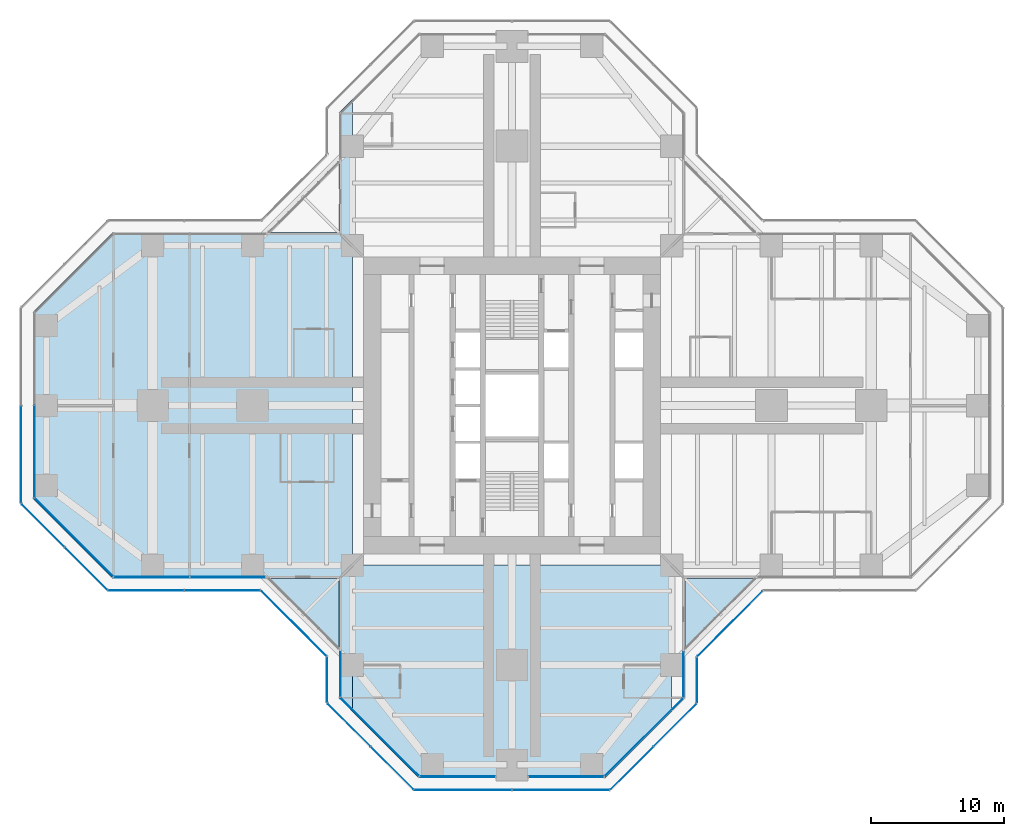
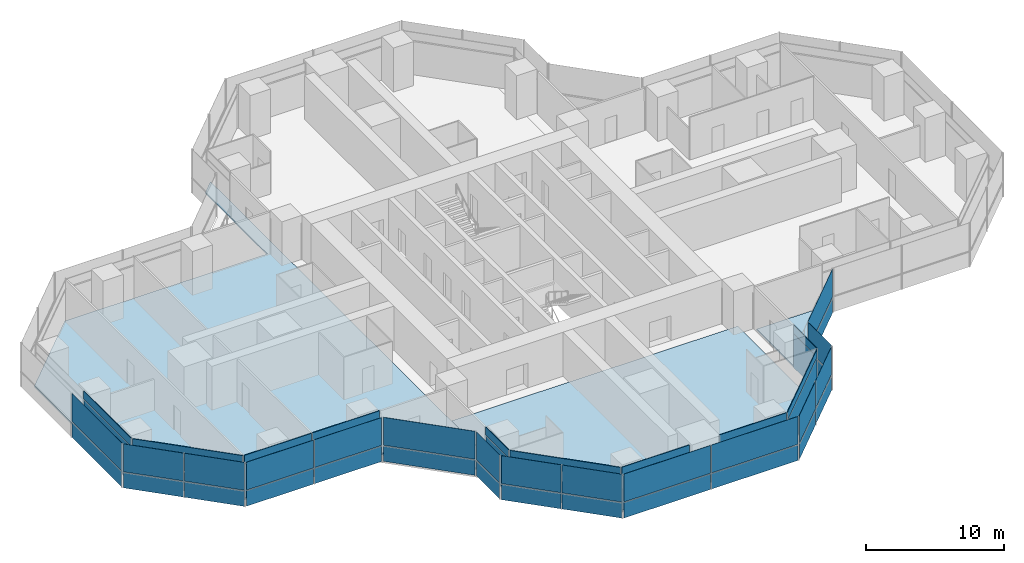
# One storey, part 12 of 20: 50 plates, 4 slabs, 19 elements without a shape of their own.
"""IFC4 building model written with IfcOpenShell, lengths in metres."""

from ifc_helpers import new_model, si_unit, direction, frame, origin, origin_2d, place, context, subcontext, project, spatial, polyline, rectangle, outline, extrude, material, layer, layer_set, type_object, element, aggregate, save


model = new_model("IFC4")

# Units and contexts
model_context = context("Model", 3, precision=1e-05, world=origin(), true_north=direction((0.0, 1.0)))
body_context = subcontext(model_context, "Body", "Model", "MODEL_VIEW")
ifc_project = project(units=[si_unit("LENGTHUNIT", "METRE"), si_unit("AREAUNIT", "SQUARE_METRE"), si_unit("VOLUMEUNIT", "CUBIC_METRE"), si_unit("PLANEANGLEUNIT", "RADIAN"), si_unit("MASSUNIT", "GRAM", prefix="KILO")], contexts=[model_context])

# Site, building, storey
site_placement = place(None, origin())
site = spatial("IfcSite", under=ifc_project, at=site_placement, CompositionType="ELEMENT")
building_placement = place(site_placement, origin())
building = spatial("IfcBuilding", under=site, at=building_placement, Name="Mizan Broadcast Tower", CompositionType="ELEMENT")
storey_placement = place(building_placement, frame((0.0, 0.0, 151.5)))
storey = spatial("IfcBuildingStorey", under=building, at=storey_placement, Name="L34", CompositionType="ELEMENT", Elevation=151.5)

# Slabs
ifc_material_1 = material(Name="Concrete C32/40", Category="concrete")
ifc_layer_1 = layer(ifc_material_1, 0.1298828125)
ifc_layer_set_1 = layer_set([ifc_layer_1], Name="Concrete C32/40")
slab_type_1 = type_object("IfcSlabType", Name="COMPOSITE DECK SLAB 130", PredefinedType="FLOOR", material=ifc_layer_set_1)
slab_1_placement = place(storey_placement, frame((0.0, 0.0, -0.1298828125)))
element("IfcSlab", 1, at=slab_1_placement, inside=storey, type_object=slab_type_1, Name="Floor slab L34 west arm", PredefinedType="FLOOR", context=body_context, shape_type="SweptSolid", body=[
    extrude(outline(polyline([(-13.0, -22.0), (-12.0, -23.0), (-12.0, 23.0), (-13.0, 22.0), (-13.0, 13.0), (-30.0, 13.0), (-36.0, 7.0), (-36.0, -7.0), (-30.0, -13.0), (-13.0, -13.0), (-13.0, -22.0)])), origin(), (0.0, 0.0, 1.0), 0.1298828125),
])
slab_2_placement = place(storey_placement, frame((0.0, 0.0, -0.1298828125)))
element("IfcSlab", 2, at=slab_2_placement, inside=storey, type_object=slab_type_1, Name="Floor slab L34 south arm", PredefinedType="FLOOR", context=body_context, shape_type="SweptSolid", body=[
    extrude(outline(polyline([(7.0, -28.0), (12.0, -23.0), (12.0, -12.0), (-12.0, -12.0), (-12.0, -23.0), (-7.0, -28.0), (7.0, -28.0)])), origin(), (0.0, 0.0, 1.0), 0.1298828125),
])

# Curtain wall, plate
ifc_material_2 = material(Name="Aluminium framed glazing", Category="aluminium")
curtain_wall_type_1 = type_object("IfcCurtainWallType", Name="INNER SKIN MID ZONE", PredefinedType="USERDEFINED", material=ifc_material_2)
curtain_wall_1_placement = place(storey_placement, origin())
curtain_wall_1 = element("IfcCurtainWall", 3, at=curtain_wall_1_placement, inside=storey, type_object=curtain_wall_type_1, Name="Inner skin mid zone L34 W end", ObjectType="INNER SKIN MID ZONE", PredefinedType="USERDEFINED")
ifc_material_3 = material(Name="Double glazing, clear low-e", Category="glass")
ifc_layer_2 = layer(ifc_material_3, 0.028076171875)
ifc_layer_set_2 = layer_set([ifc_layer_2], Name="Double glazing, clear low-e")
plate_type_1 = type_object("IfcPlateType", Name="INNER SKIN GLAZING UNIT", PredefinedType="CURTAIN_PANEL", material=ifc_layer_set_2)
plate_1_placement = place(storey_placement, frame((-35.89990234375, -3.46435546875, 0.0), z_axis=(0.0, 0.0, 1.0), x_axis=(0.0, -1.0, 0.0)))
plate_1 = element("IfcPlate", 4, at=plate_1_placement, type_object=plate_type_1, Name="Inner skin mid zone L34 W end panel 2.1", PredefinedType="CURTAIN_PANEL", context=body_context, shape_type="SweptSolid", body=[
    extrude(rectangle(XDim=6.86865234375, YDim=0.028076171875, at=origin_2d()), origin(), (0.0, 0.0, 1.0), 3.0),
])

curtain_wall_2_placement = place(storey_placement, origin())
curtain_wall_2 = element("IfcCurtainWall", 5, at=curtain_wall_2_placement, inside=storey, type_object=curtain_wall_type_1, Name="Inner skin mid zone L34 W chamfer", ObjectType="INNER SKIN MID ZONE", PredefinedType="USERDEFINED")
plate_2_placement = place(storey_placement, frame((-32.92919921875, -9.92919921875, 0.0), z_axis=(0.0, 0.0, 1.0), x_axis=(0.707106781187, -0.707106781187, 0.0)))
plate_2 = element("IfcPlate", 6, at=plate_2_placement, type_object=plate_type_1, Name="Inner skin mid zone L34 W chamfer panel 1.1", PredefinedType="CURTAIN_PANEL", context=body_context, shape_type="SweptSolid", body=[
    extrude(rectangle(XDim=8.282470703125, YDim=0.028076171875, at=origin_2d()), origin(), (0.0, 0.0, 1.0), 3.0),
])

# Curtain wall, plates
curtain_wall_3_placement = place(storey_placement, origin())
curtain_wall_3 = element("IfcCurtainWall", 7, at=curtain_wall_3_placement, inside=storey, type_object=curtain_wall_type_1, Name="Inner skin mid zone L34 W side", ObjectType="INNER SKIN MID ZONE", PredefinedType="USERDEFINED")
plate_3_placement = place(storey_placement, frame((-27.078857421875, -12.89990234375, 0.0), z_axis=(0.0, 0.0, 1.0), x_axis=(1.0, 0.0, 0.0)))
plate_3 = element("IfcPlate", 8, at=plate_3_placement, type_object=plate_type_1, Name="Inner skin mid zone L34 W side panel 1.1", PredefinedType="CURTAIN_PANEL", context=body_context, shape_type="SweptSolid", body=[
    extrude(rectangle(XDim=5.639404296875, YDim=0.028076171875, at=origin_2d()), origin(), (0.0, 0.0, 1.0), 3.0),
])
plate_4_placement = place(storey_placement, frame((-21.379638671875, -12.89990234375, 0.0), z_axis=(0.0, 0.0, 1.0), x_axis=(1.0, 0.0, 0.0)))
plate_4 = element("IfcPlate", 9, at=plate_4_placement, type_object=plate_type_1, Name="Inner skin mid zone L34 W side panel 2.1", PredefinedType="CURTAIN_PANEL", context=body_context, shape_type="SweptSolid", body=[
    extrude(rectangle(XDim=5.639404296875, YDim=0.028076171875, at=origin_2d()), origin(), (0.0, 0.0, 1.0), 3.0),
])

# Curtain wall, plate
curtain_wall_4_placement = place(storey_placement, origin())
curtain_wall_4 = element("IfcCurtainWall", 10, at=curtain_wall_4_placement, inside=storey, type_object=curtain_wall_type_1, Name="Inner skin mid zone L34 S side", ObjectType="INNER SKIN MID ZONE", PredefinedType="USERDEFINED")
plate_5_placement = place(storey_placement, frame((-12.89990234375, -20.229248046875, 0.0), z_axis=(0.0, 0.0, 1.0), x_axis=(0.0, -1.0, 0.0)))
plate_5 = element("IfcPlate", 11, at=plate_5_placement, type_object=plate_type_1, Name="Inner skin mid zone L34 S side panel 1.1", PredefinedType="CURTAIN_PANEL", context=body_context, shape_type="SweptSolid", body=[
    extrude(rectangle(XDim=3.338623046875, YDim=0.028076171875, at=origin_2d()), origin(), (0.0, 0.0, 1.0), 3.0),
])

curtain_wall_5_placement = place(storey_placement, origin())
curtain_wall_5 = element("IfcCurtainWall", 12, at=curtain_wall_5_placement, inside=storey, type_object=curtain_wall_type_1, Name="Inner skin mid zone L34 S chamfer", ObjectType="INNER SKIN MID ZONE", PredefinedType="USERDEFINED")
plate_6_placement = place(storey_placement, frame((-9.92919921875, -24.92919921875, 0.0), z_axis=(0.0, 0.0, 1.0), x_axis=(0.707106781187, -0.707106781187, 0.0)))
plate_6 = element("IfcPlate", 13, at=plate_6_placement, type_object=plate_type_1, Name="Inner skin mid zone L34 S chamfer panel 1.1", PredefinedType="CURTAIN_PANEL", context=body_context, shape_type="SweptSolid", body=[
    extrude(rectangle(XDim=8.282470703125, YDim=0.028076171875, at=origin_2d()), origin(), (0.0, 0.0, 1.0), 3.0),
])

curtain_wall_6_placement = place(storey_placement, origin())
curtain_wall_6 = element("IfcCurtainWall", 14, at=curtain_wall_6_placement, inside=storey, type_object=curtain_wall_type_1, Name="Inner skin mid zone L34 S end", ObjectType="INNER SKIN MID ZONE", PredefinedType="USERDEFINED")
plate_7_placement = place(storey_placement, frame((-4.079345703125, -27.89990234375, 0.0), z_axis=(0.0, 0.0, 1.0), x_axis=(1.0, 0.0, 0.0)))
plate_7 = element("IfcPlate", 15, at=plate_7_placement, type_object=plate_type_1, Name="Inner skin mid zone L34 S end panel 1.1", PredefinedType="CURTAIN_PANEL", context=body_context, shape_type="SweptSolid", body=[
    extrude(rectangle(XDim=5.638671875, YDim=0.028076171875, at=origin_2d()), origin(), (0.0, 0.0, 1.0), 3.0),
])

curtain_wall_7_placement = place(storey_placement, origin())
curtain_wall_7 = element("IfcCurtainWall", 16, at=curtain_wall_7_placement, inside=storey, type_object=curtain_wall_type_1, Name="Inner skin mid zone L34 S end", ObjectType="INNER SKIN MID ZONE", PredefinedType="USERDEFINED")
plate_8_placement = place(storey_placement, frame((4.079345703125, -27.89990234375, 0.0), z_axis=(0.0, 0.0, 1.0), x_axis=(1.0, 0.0, 0.0)))
plate_8 = element("IfcPlate", 17, at=plate_8_placement, type_object=plate_type_1, Name="Inner skin mid zone L34 S end panel 1.1", PredefinedType="CURTAIN_PANEL", context=body_context, shape_type="SweptSolid", body=[
    extrude(rectangle(XDim=5.638671875, YDim=0.028076171875, at=origin_2d()), origin(), (0.0, 0.0, 1.0), 3.0),
])

curtain_wall_8_placement = place(storey_placement, origin())
curtain_wall_8 = element("IfcCurtainWall", 18, at=curtain_wall_8_placement, inside=storey, type_object=curtain_wall_type_1, Name="Inner skin mid zone L34 S chamfer", ObjectType="INNER SKIN MID ZONE", PredefinedType="USERDEFINED")
plate_9_placement = place(storey_placement, frame((9.92919921875, -24.92919921875, 0.0), z_axis=(0.0, 0.0, 1.0), x_axis=(0.707106781187, 0.707106781187, 0.0)))
plate_9 = element("IfcPlate", 19, at=plate_9_placement, type_object=plate_type_1, Name="Inner skin mid zone L34 S chamfer panel 1.1", PredefinedType="CURTAIN_PANEL", context=body_context, shape_type="SweptSolid", body=[
    extrude(rectangle(XDim=8.282470703125, YDim=0.028076171875, at=origin_2d()), origin(), (0.0, 0.0, 1.0), 3.0),
])

curtain_wall_9_placement = place(storey_placement, origin())
curtain_wall_9 = element("IfcCurtainWall", 20, at=curtain_wall_9_placement, inside=storey, type_object=curtain_wall_type_1, Name="Inner skin mid zone L34 S side", ObjectType="INNER SKIN MID ZONE", PredefinedType="USERDEFINED")
plate_10_placement = place(storey_placement, frame((12.89990234375, -20.229248046875, 0.0), z_axis=(0.0, 0.0, 1.0), x_axis=(0.0, 1.0, 0.0)))
plate_10 = element("IfcPlate", 21, at=plate_10_placement, type_object=plate_type_1, Name="Inner skin mid zone L34 S side panel 1.1", PredefinedType="CURTAIN_PANEL", context=body_context, shape_type="SweptSolid", body=[
    extrude(rectangle(XDim=3.338623046875, YDim=0.028076171875, at=origin_2d()), origin(), (0.0, 0.0, 1.0), 3.0),
])

# Plate
ifc_material_4 = material(Name="Insulated aluminium spandrel panel, pale anodised", Category="aluminium")
ifc_layer_3 = layer(ifc_material_4, 0.050048828125)
ifc_layer_set_3 = layer_set([ifc_layer_3], Name="Insulated aluminium spandrel panel, pale anodised")
plate_type_2 = type_object("IfcPlateType", Name="INNER SKIN SPANDREL PANEL", PredefinedType="CURTAIN_PANEL", material=ifc_layer_set_3)
plate_11_placement = place(storey_placement, frame((-35.89990234375, -3.46435546875, 3.06005859375), z_axis=(0.0, 0.0, 1.0), x_axis=(0.0, -1.0, 0.0)))
plate_11 = element("IfcPlate", 22, at=plate_11_placement, type_object=plate_type_2, Name="Inner skin mid zone L34 W end panel 2.2", PredefinedType="CURTAIN_PANEL", context=body_context, shape_type="SweptSolid", body=[
    extrude(rectangle(XDim=6.86865234375, YDim=0.050048828125, at=origin_2d()), origin(), (0.0, 0.0, 1.0), 0.7099609375),
])

aggregate(curtain_wall_1, [plate_1, plate_11])

plate_12_placement = place(storey_placement, frame((-32.92919921875, -9.92919921875, 3.06005859375), z_axis=(0.0, 0.0, 1.0), x_axis=(0.707106781187, -0.707106781187, 0.0)))
plate_12 = element("IfcPlate", 23, at=plate_12_placement, type_object=plate_type_2, Name="Inner skin mid zone L34 W chamfer panel 1.2", PredefinedType="CURTAIN_PANEL", context=body_context, shape_type="SweptSolid", body=[
    extrude(rectangle(XDim=8.282470703125, YDim=0.050048828125, at=origin_2d()), origin(), (0.0, 0.0, 1.0), 0.7099609375),
])

aggregate(curtain_wall_2, [plate_2, plate_12])

plate_13_placement = place(storey_placement, frame((-27.078857421875, -12.89990234375, 3.06005859375), z_axis=(0.0, 0.0, 1.0), x_axis=(1.0, 0.0, 0.0)))
plate_13 = element("IfcPlate", 24, at=plate_13_placement, type_object=plate_type_2, Name="Inner skin mid zone L34 W side panel 1.2", PredefinedType="CURTAIN_PANEL", context=body_context, shape_type="SweptSolid", body=[
    extrude(rectangle(XDim=5.639404296875, YDim=0.050048828125, at=origin_2d()), origin(), (0.0, 0.0, 1.0), 0.7099609375),
])

plate_14_placement = place(storey_placement, frame((-21.379638671875, -12.89990234375, 3.06005859375), z_axis=(0.0, 0.0, 1.0), x_axis=(1.0, 0.0, 0.0)))
plate_14 = element("IfcPlate", 25, at=plate_14_placement, type_object=plate_type_2, Name="Inner skin mid zone L34 W side panel 2.2", PredefinedType="CURTAIN_PANEL", context=body_context, shape_type="SweptSolid", body=[
    extrude(rectangle(XDim=5.639404296875, YDim=0.050048828125, at=origin_2d()), origin(), (0.0, 0.0, 1.0), 0.7099609375),
])

aggregate(curtain_wall_3, [plate_3, plate_13, plate_4, plate_14])

plate_15_placement = place(storey_placement, frame((-12.89990234375, -20.229248046875, 3.06005859375), z_axis=(0.0, 0.0, 1.0), x_axis=(0.0, -1.0, 0.0)))
plate_15 = element("IfcPlate", 26, at=plate_15_placement, type_object=plate_type_2, Name="Inner skin mid zone L34 S side panel 1.2", PredefinedType="CURTAIN_PANEL", context=body_context, shape_type="SweptSolid", body=[
    extrude(rectangle(XDim=3.338623046875, YDim=0.050048828125, at=origin_2d()), origin(), (0.0, 0.0, 1.0), 0.7099609375),
])

aggregate(curtain_wall_4, [plate_5, plate_15])

plate_16_placement = place(storey_placement, frame((-9.92919921875, -24.92919921875, 3.06005859375), z_axis=(0.0, 0.0, 1.0), x_axis=(0.707106781187, -0.707106781187, 0.0)))
plate_16 = element("IfcPlate", 27, at=plate_16_placement, type_object=plate_type_2, Name="Inner skin mid zone L34 S chamfer panel 1.2", PredefinedType="CURTAIN_PANEL", context=body_context, shape_type="SweptSolid", body=[
    extrude(rectangle(XDim=8.282470703125, YDim=0.050048828125, at=origin_2d()), origin(), (0.0, 0.0, 1.0), 0.7099609375),
])

aggregate(curtain_wall_5, [plate_6, plate_16])

plate_17_placement = place(storey_placement, frame((-4.079345703125, -27.89990234375, 3.06005859375), z_axis=(0.0, 0.0, 1.0), x_axis=(1.0, 0.0, 0.0)))
plate_17 = element("IfcPlate", 28, at=plate_17_placement, type_object=plate_type_2, Name="Inner skin mid zone L34 S end panel 1.2", PredefinedType="CURTAIN_PANEL", context=body_context, shape_type="SweptSolid", body=[
    extrude(rectangle(XDim=5.638671875, YDim=0.050048828125, at=origin_2d()), origin(), (0.0, 0.0, 1.0), 0.7099609375),
])

aggregate(curtain_wall_6, [plate_7, plate_17])

plate_18_placement = place(storey_placement, frame((4.079345703125, -27.89990234375, 3.06005859375), z_axis=(0.0, 0.0, 1.0), x_axis=(1.0, 0.0, 0.0)))
plate_18 = element("IfcPlate", 29, at=plate_18_placement, type_object=plate_type_2, Name="Inner skin mid zone L34 S end panel 1.2", PredefinedType="CURTAIN_PANEL", context=body_context, shape_type="SweptSolid", body=[
    extrude(rectangle(XDim=5.638671875, YDim=0.050048828125, at=origin_2d()), origin(), (0.0, 0.0, 1.0), 0.7099609375),
])

aggregate(curtain_wall_7, [plate_8, plate_18])

plate_19_placement = place(storey_placement, frame((9.92919921875, -24.92919921875, 3.06005859375), z_axis=(0.0, 0.0, 1.0), x_axis=(0.707106781187, 0.707106781187, 0.0)))
plate_19 = element("IfcPlate", 30, at=plate_19_placement, type_object=plate_type_2, Name="Inner skin mid zone L34 S chamfer panel 1.2", PredefinedType="CURTAIN_PANEL", context=body_context, shape_type="SweptSolid", body=[
    extrude(rectangle(XDim=8.282470703125, YDim=0.050048828125, at=origin_2d()), origin(), (0.0, 0.0, 1.0), 0.7099609375),
])

aggregate(curtain_wall_8, [plate_9, plate_19])

plate_20_placement = place(storey_placement, frame((12.89990234375, -20.229248046875, 3.06005859375), z_axis=(0.0, 0.0, 1.0), x_axis=(0.0, 1.0, 0.0)))
plate_20 = element("IfcPlate", 31, at=plate_20_placement, type_object=plate_type_2, Name="Inner skin mid zone L34 S side panel 1.2", PredefinedType="CURTAIN_PANEL", context=body_context, shape_type="SweptSolid", body=[
    extrude(rectangle(XDim=3.338623046875, YDim=0.050048828125, at=origin_2d()), origin(), (0.0, 0.0, 1.0), 0.7099609375),
])

aggregate(curtain_wall_9, [plate_10, plate_20])

# Curtain wall, plates
ifc_material_5 = material(Name="Aluminium framed glazing", Category="aluminium")
curtain_wall_type_2 = type_object("IfcCurtainWallType", Name="OUTER SKIN", PredefinedType="USERDEFINED", material=ifc_material_5)
curtain_wall_10_placement = place(storey_placement, origin())
curtain_wall_10 = element("IfcCurtainWall", 32, at=curtain_wall_10_placement, inside=storey, type_object=curtain_wall_type_2, Name="Outer skin L34 W chamfer", ObjectType="OUTER SKIN", PredefinedType="USERDEFINED")
ifc_material_6 = material(Name="Laminated clear glass", Category="glass")
ifc_layer_4 = layer(ifc_material_6, 0.02001953125)
ifc_layer_set_4 = layer_set([ifc_layer_4], Name="Laminated clear glass")
plate_type_3 = type_object("IfcPlateType", Name="OUTER SKIN CLEAR GLASS", PredefinedType="CURTAIN_PANEL", material=ifc_layer_set_4)
plate_21_placement = place(storey_placement, frame((-35.254150390625, -9.018798828125, 0.0), z_axis=(0.0, 0.0, 1.0), x_axis=(0.707106781187, -0.707106781187, 0.0)))
plate_21 = element("IfcPlate", 33, at=plate_21_placement, type_object=plate_type_3, Name="Outer skin L34 W chamfer panel 1.1", PredefinedType="CURTAIN_PANEL", context=body_context, shape_type="SweptSolid", body=[
    extrude(rectangle(XDim=4.495361328125, YDim=0.02001953125, at=origin_2d()), origin(), (0.0, 0.0, 1.0), 1.3701171875),
])
plate_22_placement = place(storey_placement, frame((-35.254150390625, -9.018798828125, 1.43017578125), z_axis=(0.0, 0.0, 1.0), x_axis=(0.707106781187, -0.707106781187, 0.0)))
plate_22 = element("IfcPlate", 34, at=plate_22_placement, type_object=plate_type_3, Name="Outer skin L34 W chamfer panel 1.2", PredefinedType="CURTAIN_PANEL", context=body_context, shape_type="SweptSolid", body=[
    extrude(rectangle(XDim=4.495361328125, YDim=0.02001953125, at=origin_2d()), origin(), (0.0, 0.0, 1.0), 2.469970703125),
])

curtain_wall_11_placement = place(storey_placement, origin())
curtain_wall_11 = element("IfcCurtainWall", 35, at=curtain_wall_11_placement, inside=storey, type_object=curtain_wall_type_2, Name="Outer skin L34 W side", ObjectType="OUTER SKIN", PredefinedType="USERDEFINED")
plate_23_placement = place(storey_placement, frame((-27.477783203125, -13.89990234375, 0.0), z_axis=(0.0, 0.0, 1.0), x_axis=(1.0, 0.0, 0.0)))
plate_23 = element("IfcPlate", 36, at=plate_23_placement, type_object=plate_type_3, Name="Outer skin L34 W side panel 1.1", PredefinedType="CURTAIN_PANEL", context=body_context, shape_type="SweptSolid", body=[
    extrude(rectangle(XDim=5.6298828125, YDim=0.02001953125, at=origin_2d()), origin(), (0.0, 0.0, 1.0), 1.3701171875),
])
plate_24_placement = place(storey_placement, frame((-27.477783203125, -13.89990234375, 1.43017578125), z_axis=(0.0, 0.0, 1.0), x_axis=(1.0, 0.0, 0.0)))
plate_24 = element("IfcPlate", 37, at=plate_24_placement, type_object=plate_type_3, Name="Outer skin L34 W side panel 1.2", PredefinedType="CURTAIN_PANEL", context=body_context, shape_type="SweptSolid", body=[
    extrude(rectangle(XDim=5.6298828125, YDim=0.02001953125, at=origin_2d()), origin(), (0.0, 0.0, 1.0), 2.469970703125),
])

curtain_wall_12_placement = place(storey_placement, origin())
curtain_wall_12 = element("IfcCurtainWall", 38, at=curtain_wall_12_placement, inside=storey, type_object=curtain_wall_type_2, Name="Outer skin L34 W chamfer", ObjectType="OUTER SKIN", PredefinedType="USERDEFINED")
plate_25_placement = place(storey_placement, frame((-16.386474609375, -16.386474609375, 0.0), z_axis=(0.0, 0.0, 1.0), x_axis=(0.707106781187, -0.707106781187, 0.0)))
plate_25 = element("IfcPlate", 39, at=plate_25_placement, type_object=plate_type_3, Name="Outer skin L34 W chamfer panel 1.1", PredefinedType="CURTAIN_PANEL", context=body_context, shape_type="SweptSolid", body=[
    extrude(rectangle(XDim=6.87255859375, YDim=0.02001953125, at=origin_2d()), origin(), (0.0, 0.0, 1.0), 1.3701171875),
])
plate_26_placement = place(storey_placement, frame((-16.386474609375, -16.386474609375, 1.43017578125), z_axis=(0.0, 0.0, 1.0), x_axis=(0.707106781187, -0.707106781187, 0.0)))
plate_26 = element("IfcPlate", 40, at=plate_26_placement, type_object=plate_type_3, Name="Outer skin L34 W chamfer panel 1.2", PredefinedType="CURTAIN_PANEL", context=body_context, shape_type="SweptSolid", body=[
    extrude(rectangle(XDim=6.87255859375, YDim=0.02001953125, at=origin_2d()), origin(), (0.0, 0.0, 1.0), 2.469970703125),
])
aggregate(curtain_wall_12, [plate_25, plate_26])

curtain_wall_13_placement = place(storey_placement, origin())
curtain_wall_13 = element("IfcCurtainWall", 41, at=curtain_wall_13_placement, inside=storey, type_object=curtain_wall_type_2, Name="Outer skin L34 S side", ObjectType="OUTER SKIN", PredefinedType="USERDEFINED")
plate_27_placement = place(storey_placement, frame((-13.89990234375, -20.622802734375, 0.0), z_axis=(0.0, 0.0, 1.0), x_axis=(0.0, -1.0, 0.0)))
plate_27 = element("IfcPlate", 42, at=plate_27_placement, type_object=plate_type_3, Name="Outer skin L34 S side panel 1.1", PredefinedType="CURTAIN_PANEL", context=body_context, shape_type="SweptSolid", body=[
    extrude(rectangle(XDim=3.340087890625, YDim=0.02001953125, at=origin_2d()), origin(), (0.0, 0.0, 1.0), 1.3701171875),
])
plate_28_placement = place(storey_placement, frame((-13.89990234375, -20.622802734375, 1.43017578125), z_axis=(0.0, 0.0, 1.0), x_axis=(0.0, -1.0, 0.0)))
plate_28 = element("IfcPlate", 43, at=plate_28_placement, type_object=plate_type_3, Name="Outer skin L34 S side panel 1.2", PredefinedType="CURTAIN_PANEL", context=body_context, shape_type="SweptSolid", body=[
    extrude(rectangle(XDim=3.340087890625, YDim=0.02001953125, at=origin_2d()), origin(), (0.0, 0.0, 1.0), 2.469970703125),
])
aggregate(curtain_wall_13, [plate_27, plate_28])

curtain_wall_14_placement = place(storey_placement, origin())
curtain_wall_14 = element("IfcCurtainWall", 44, at=curtain_wall_14_placement, inside=storey, type_object=curtain_wall_type_2, Name="Outer skin L34 S chamfer", ObjectType="OUTER SKIN", PredefinedType="USERDEFINED")
plate_29_placement = place(storey_placement, frame((-12.254150390625, -24.018798828125, 0.0), z_axis=(0.0, 0.0, 1.0), x_axis=(0.707106781187, -0.707106781187, 0.0)))
plate_29 = element("IfcPlate", 45, at=plate_29_placement, type_object=plate_type_3, Name="Outer skin L34 S chamfer panel 1.1", PredefinedType="CURTAIN_PANEL", context=body_context, shape_type="SweptSolid", body=[
    extrude(rectangle(XDim=4.495361328125, YDim=0.02001953125, at=origin_2d()), origin(), (0.0, 0.0, 1.0), 1.3701171875),
])
plate_30_placement = place(storey_placement, frame((-12.254150390625, -24.018798828125, 1.43017578125), z_axis=(0.0, 0.0, 1.0), x_axis=(0.707106781187, -0.707106781187, 0.0)))
plate_30 = element("IfcPlate", 46, at=plate_30_placement, type_object=plate_type_3, Name="Outer skin L34 S chamfer panel 1.2", PredefinedType="CURTAIN_PANEL", context=body_context, shape_type="SweptSolid", body=[
    extrude(rectangle(XDim=4.495361328125, YDim=0.02001953125, at=origin_2d()), origin(), (0.0, 0.0, 1.0), 2.469970703125),
])

curtain_wall_15_placement = place(storey_placement, origin())
curtain_wall_15 = element("IfcCurtainWall", 47, at=curtain_wall_15_placement, inside=storey, type_object=curtain_wall_type_2, Name="Outer skin L34 S end", ObjectType="OUTER SKIN", PredefinedType="USERDEFINED")
plate_31_placement = place(storey_placement, frame((-3.66650390625, -28.89990234375, 0.0), z_axis=(0.0, 0.0, 1.0), x_axis=(1.0, 0.0, 0.0)))
plate_31 = element("IfcPlate", 48, at=plate_31_placement, type_object=plate_type_3, Name="Outer skin L34 S end panel 1.1", PredefinedType="CURTAIN_PANEL", context=body_context, shape_type="SweptSolid", body=[
    extrude(rectangle(XDim=7.252685546875, YDim=0.02001953125, at=origin_2d()), origin(), (0.0, 0.0, 1.0), 1.3701171875),
])
plate_32_placement = place(storey_placement, frame((-3.66650390625, -28.89990234375, 1.43017578125), z_axis=(0.0, 0.0, 1.0), x_axis=(1.0, 0.0, 0.0)))
plate_32 = element("IfcPlate", 49, at=plate_32_placement, type_object=plate_type_3, Name="Outer skin L34 S end panel 1.2", PredefinedType="CURTAIN_PANEL", context=body_context, shape_type="SweptSolid", body=[
    extrude(rectangle(XDim=7.252685546875, YDim=0.02001953125, at=origin_2d()), origin(), (0.0, 0.0, 1.0), 2.469970703125),
])

curtain_wall_16_placement = place(storey_placement, origin())
curtain_wall_16 = element("IfcCurtainWall", 50, at=curtain_wall_16_placement, inside=storey, type_object=curtain_wall_type_2, Name="Outer skin L34 S chamfer", ObjectType="OUTER SKIN", PredefinedType="USERDEFINED")
plate_33_placement = place(storey_placement, frame((9.018798828125, -27.254150390625, 0.0), z_axis=(0.0, 0.0, 1.0), x_axis=(0.707106781187, 0.707106781187, 0.0)))
plate_33 = element("IfcPlate", 51, at=plate_33_placement, type_object=plate_type_3, Name="Outer skin L34 S chamfer panel 1.1", PredefinedType="CURTAIN_PANEL", context=body_context, shape_type="SweptSolid", body=[
    extrude(rectangle(XDim=4.495361328125, YDim=0.02001953125, at=origin_2d()), origin(), (0.0, 0.0, 1.0), 1.3701171875),
])
plate_34_placement = place(storey_placement, frame((9.018798828125, -27.254150390625, 1.43017578125), z_axis=(0.0, 0.0, 1.0), x_axis=(0.707106781187, 0.707106781187, 0.0)))
plate_34 = element("IfcPlate", 52, at=plate_34_placement, type_object=plate_type_3, Name="Outer skin L34 S chamfer panel 1.2", PredefinedType="CURTAIN_PANEL", context=body_context, shape_type="SweptSolid", body=[
    extrude(rectangle(XDim=4.495361328125, YDim=0.02001953125, at=origin_2d()), origin(), (0.0, 0.0, 1.0), 2.469970703125),
])

curtain_wall_17_placement = place(storey_placement, origin())
curtain_wall_17 = element("IfcCurtainWall", 53, at=curtain_wall_17_placement, inside=storey, type_object=curtain_wall_type_2, Name="Outer skin L34 S side", ObjectType="OUTER SKIN", PredefinedType="USERDEFINED")
plate_35_placement = place(storey_placement, frame((13.89990234375, -20.622802734375, 0.0), z_axis=(0.0, 0.0, 1.0), x_axis=(0.0, 1.0, 0.0)))
plate_35 = element("IfcPlate", 54, at=plate_35_placement, type_object=plate_type_3, Name="Outer skin L34 S side panel 1.1", PredefinedType="CURTAIN_PANEL", context=body_context, shape_type="SweptSolid", body=[
    extrude(rectangle(XDim=3.340087890625, YDim=0.02001953125, at=origin_2d()), origin(), (0.0, 0.0, 1.0), 1.3701171875),
])
plate_36_placement = place(storey_placement, frame((13.89990234375, -20.622802734375, 1.43017578125), z_axis=(0.0, 0.0, 1.0), x_axis=(0.0, 1.0, 0.0)))
plate_36 = element("IfcPlate", 55, at=plate_36_placement, type_object=plate_type_3, Name="Outer skin L34 S side panel 1.2", PredefinedType="CURTAIN_PANEL", context=body_context, shape_type="SweptSolid", body=[
    extrude(rectangle(XDim=3.340087890625, YDim=0.02001953125, at=origin_2d()), origin(), (0.0, 0.0, 1.0), 2.469970703125),
])
aggregate(curtain_wall_17, [plate_35, plate_36])

curtain_wall_18_placement = place(storey_placement, origin())
curtain_wall_18 = element("IfcCurtainWall", 56, at=curtain_wall_18_placement, inside=storey, type_object=curtain_wall_type_2, Name="Outer skin L34 E chamfer", ObjectType="OUTER SKIN", PredefinedType="USERDEFINED")
plate_37_placement = place(storey_placement, frame((16.386474609375, -16.386474609375, 0.0), z_axis=(0.0, 0.0, 1.0), x_axis=(0.707106781187, 0.707106781187, 0.0)))
plate_37 = element("IfcPlate", 57, at=plate_37_placement, type_object=plate_type_3, Name="Outer skin L34 E chamfer panel 1.1", PredefinedType="CURTAIN_PANEL", context=body_context, shape_type="SweptSolid", body=[
    extrude(rectangle(XDim=6.87255859375, YDim=0.02001953125, at=origin_2d()), origin(), (0.0, 0.0, 1.0), 1.3701171875),
])
plate_38_placement = place(storey_placement, frame((16.386474609375, -16.386474609375, 1.43017578125), z_axis=(0.0, 0.0, 1.0), x_axis=(0.707106781187, 0.707106781187, 0.0)))
plate_38 = element("IfcPlate", 58, at=plate_38_placement, type_object=plate_type_3, Name="Outer skin L34 E chamfer panel 1.2", PredefinedType="CURTAIN_PANEL", context=body_context, shape_type="SweptSolid", body=[
    extrude(rectangle(XDim=6.87255859375, YDim=0.02001953125, at=origin_2d()), origin(), (0.0, 0.0, 1.0), 2.469970703125),
])
aggregate(curtain_wall_18, [plate_37, plate_38])

curtain_wall_19_placement = place(storey_placement, origin())
curtain_wall_19 = element("IfcCurtainWall", 59, at=curtain_wall_19_placement, inside=storey, type_object=curtain_wall_type_2, Name="Outer skin L34 W end", ObjectType="OUTER SKIN", PredefinedType="USERDEFINED")
ifc_material_7 = material(Name="Perforated aluminium, pale anodised", Category="aluminium")
ifc_layer_5 = layer(ifc_material_7, 0.011962890625)
ifc_layer_set_5 = layer_set([ifc_layer_5], Name="Perforated aluminium, pale anodised")
plate_type_4 = type_object("IfcPlateType", Name="OUTER SKIN PERFORATED SCREEN", PredefinedType="USERDEFINED", material=ifc_layer_set_5)
plate_39_placement = place(storey_placement, frame((-36.89990234375, -3.66650390625, 0.0), z_axis=(0.0, 0.0, 1.0), x_axis=(0.0, -1.0, 0.0)))
plate_39 = element("IfcPlate", 60, at=plate_39_placement, type_object=plate_type_4, Name="Outer skin L34 W end panel 2.1", ObjectType="SCREEN", PredefinedType="USERDEFINED", context=body_context, shape_type="SweptSolid", body=[
    extrude(rectangle(XDim=7.252685546875, YDim=0.011962890625, at=origin_2d()), origin(), (0.0, 0.0, 1.0), 1.3701171875),
])
plate_40_placement = place(storey_placement, frame((-36.89990234375, -3.66650390625, 1.43017578125), z_axis=(0.0, 0.0, 1.0), x_axis=(0.0, -1.0, 0.0)))
plate_40 = element("IfcPlate", 61, at=plate_40_placement, type_object=plate_type_4, Name="Outer skin L34 W end panel 2.2", ObjectType="SCREEN", PredefinedType="USERDEFINED", context=body_context, shape_type="SweptSolid", body=[
    extrude(rectangle(XDim=7.252685546875, YDim=0.011962890625, at=origin_2d()), origin(), (0.0, 0.0, 1.0), 2.469970703125),
])
aggregate(curtain_wall_19, [plate_39, plate_40])

# Plate
plate_41_placement = place(storey_placement, frame((-32.018798828125, -12.254150390625, 0.0), z_axis=(0.0, 0.0, 1.0), x_axis=(0.707106781187, -0.707106781187, 0.0)))
plate_41 = element("IfcPlate", 62, at=plate_41_placement, type_object=plate_type_4, Name="Outer skin L34 W chamfer panel 2.1", ObjectType="SCREEN", PredefinedType="USERDEFINED", context=body_context, shape_type="SweptSolid", body=[
    extrude(rectangle(XDim=4.495361328125, YDim=0.011962890625, at=origin_2d()), origin(), (0.0, 0.0, 1.0), 1.3701171875),
])

plate_42_placement = place(storey_placement, frame((-32.018798828125, -12.254150390625, 1.43017578125), z_axis=(0.0, 0.0, 1.0), x_axis=(0.707106781187, -0.707106781187, 0.0)))
plate_42 = element("IfcPlate", 63, at=plate_42_placement, type_object=plate_type_4, Name="Outer skin L34 W chamfer panel 2.2", ObjectType="SCREEN", PredefinedType="USERDEFINED", context=body_context, shape_type="SweptSolid", body=[
    extrude(rectangle(XDim=4.495361328125, YDim=0.011962890625, at=origin_2d()), origin(), (0.0, 0.0, 1.0), 2.469970703125),
])

aggregate(curtain_wall_10, [plate_21, plate_22, plate_41, plate_42])

plate_43_placement = place(storey_placement, frame((-21.767822265625, -13.89990234375, 0.0), z_axis=(0.0, 0.0, 1.0), x_axis=(1.0, 0.0, 0.0)))
plate_43 = element("IfcPlate", 64, at=plate_43_placement, type_object=plate_type_4, Name="Outer skin L34 W side panel 2.1", ObjectType="SCREEN", PredefinedType="USERDEFINED", context=body_context, shape_type="SweptSolid", body=[
    extrude(rectangle(XDim=5.6298828125, YDim=0.011962890625, at=origin_2d()), origin(), (0.0, 0.0, 1.0), 1.3701171875),
])

plate_44_placement = place(storey_placement, frame((-21.767822265625, -13.89990234375, 1.43017578125), z_axis=(0.0, 0.0, 1.0), x_axis=(1.0, 0.0, 0.0)))
plate_44 = element("IfcPlate", 65, at=plate_44_placement, type_object=plate_type_4, Name="Outer skin L34 W side panel 2.2", ObjectType="SCREEN", PredefinedType="USERDEFINED", context=body_context, shape_type="SweptSolid", body=[
    extrude(rectangle(XDim=5.6298828125, YDim=0.011962890625, at=origin_2d()), origin(), (0.0, 0.0, 1.0), 2.469970703125),
])

aggregate(curtain_wall_11, [plate_23, plate_24, plate_43, plate_44])

plate_45_placement = place(storey_placement, frame((-9.018798828125, -27.254150390625, 0.0), z_axis=(0.0, 0.0, 1.0), x_axis=(0.707106781187, -0.707106781187, 0.0)))
plate_45 = element("IfcPlate", 66, at=plate_45_placement, type_object=plate_type_4, Name="Outer skin L34 S chamfer panel 2.1", ObjectType="SCREEN", PredefinedType="USERDEFINED", context=body_context, shape_type="SweptSolid", body=[
    extrude(rectangle(XDim=4.495361328125, YDim=0.011962890625, at=origin_2d()), origin(), (0.0, 0.0, 1.0), 1.3701171875),
])

plate_46_placement = place(storey_placement, frame((-9.018798828125, -27.254150390625, 1.43017578125), z_axis=(0.0, 0.0, 1.0), x_axis=(0.707106781187, -0.707106781187, 0.0)))
plate_46 = element("IfcPlate", 67, at=plate_46_placement, type_object=plate_type_4, Name="Outer skin L34 S chamfer panel 2.2", ObjectType="SCREEN", PredefinedType="USERDEFINED", context=body_context, shape_type="SweptSolid", body=[
    extrude(rectangle(XDim=4.495361328125, YDim=0.011962890625, at=origin_2d()), origin(), (0.0, 0.0, 1.0), 2.469970703125),
])

aggregate(curtain_wall_14, [plate_29, plate_30, plate_45, plate_46])

plate_47_placement = place(storey_placement, frame((3.66650390625, -28.89990234375, 0.0), z_axis=(0.0, 0.0, 1.0), x_axis=(1.0, 0.0, 0.0)))
plate_47 = element("IfcPlate", 68, at=plate_47_placement, type_object=plate_type_4, Name="Outer skin L34 S end panel 2.1", ObjectType="SCREEN", PredefinedType="USERDEFINED", context=body_context, shape_type="SweptSolid", body=[
    extrude(rectangle(XDim=7.252685546875, YDim=0.011962890625, at=origin_2d()), origin(), (0.0, 0.0, 1.0), 1.3701171875),
])

plate_48_placement = place(storey_placement, frame((3.66650390625, -28.89990234375, 1.43017578125), z_axis=(0.0, 0.0, 1.0), x_axis=(1.0, 0.0, 0.0)))
plate_48 = element("IfcPlate", 69, at=plate_48_placement, type_object=plate_type_4, Name="Outer skin L34 S end panel 2.2", ObjectType="SCREEN", PredefinedType="USERDEFINED", context=body_context, shape_type="SweptSolid", body=[
    extrude(rectangle(XDim=7.252685546875, YDim=0.011962890625, at=origin_2d()), origin(), (0.0, 0.0, 1.0), 2.469970703125),
])

aggregate(curtain_wall_15, [plate_31, plate_32, plate_47, plate_48])

plate_49_placement = place(storey_placement, frame((12.254150390625, -24.018798828125, 0.0), z_axis=(0.0, 0.0, 1.0), x_axis=(0.707106781187, 0.707106781187, 0.0)))
plate_49 = element("IfcPlate", 70, at=plate_49_placement, type_object=plate_type_4, Name="Outer skin L34 S chamfer panel 2.1", ObjectType="SCREEN", PredefinedType="USERDEFINED", context=body_context, shape_type="SweptSolid", body=[
    extrude(rectangle(XDim=4.495361328125, YDim=0.011962890625, at=origin_2d()), origin(), (0.0, 0.0, 1.0), 1.3701171875),
])

plate_50_placement = place(storey_placement, frame((12.254150390625, -24.018798828125, 1.43017578125), z_axis=(0.0, 0.0, 1.0), x_axis=(0.707106781187, 0.707106781187, 0.0)))
plate_50 = element("IfcPlate", 71, at=plate_50_placement, type_object=plate_type_4, Name="Outer skin L34 S chamfer panel 2.2", ObjectType="SCREEN", PredefinedType="USERDEFINED", context=body_context, shape_type="SweptSolid", body=[
    extrude(rectangle(XDim=4.495361328125, YDim=0.011962890625, at=origin_2d()), origin(), (0.0, 0.0, 1.0), 2.469970703125),
])

aggregate(curtain_wall_16, [plate_33, plate_34, plate_49, plate_50])

# Slabs
ifc_material_8 = material(Name="Concrete C32/40", Category="concrete")
ifc_layer_6 = layer(ifc_material_8, 0.1298828125)
ifc_layer_set_6 = layer_set([ifc_layer_6], Name="Concrete C32/40")
slab_type_2 = type_object("IfcSlabType", Name="WINTER GARDEN SLAB 130", PredefinedType="FLOOR", material=ifc_layer_set_6)
slab_3_placement = place(storey_placement, frame((0.0, 0.0, -0.1298828125)))
element("IfcSlab", 72, at=slab_3_placement, inside=storey, type_object=slab_type_2, Name="Winter garden slab L34 W", PredefinedType="FLOOR", context=body_context, shape_type="SweptSolid", body=[
    extrude(outline(polyline([(-13.0, -13.0), (-18.5, -13.0), (-13.0, -18.5), (-13.0, -13.0)])), origin(), (0.0, 0.0, 1.0), 0.1298828125),
])
slab_4_placement = place(storey_placement, frame((0.0, 0.0, -0.1298828125)))
element("IfcSlab", 73, at=slab_4_placement, inside=storey, type_object=slab_type_2, Name="Winter garden slab L34 S", PredefinedType="FLOOR", context=body_context, shape_type="SweptSolid", body=[
    extrude(outline(polyline([(13.0, -13.0), (13.0, -18.5), (18.5, -13.0), (13.0, -13.0)])), origin(), (0.0, 0.0, 1.0), 0.1298828125),
])

save(model, "model.ifc")
